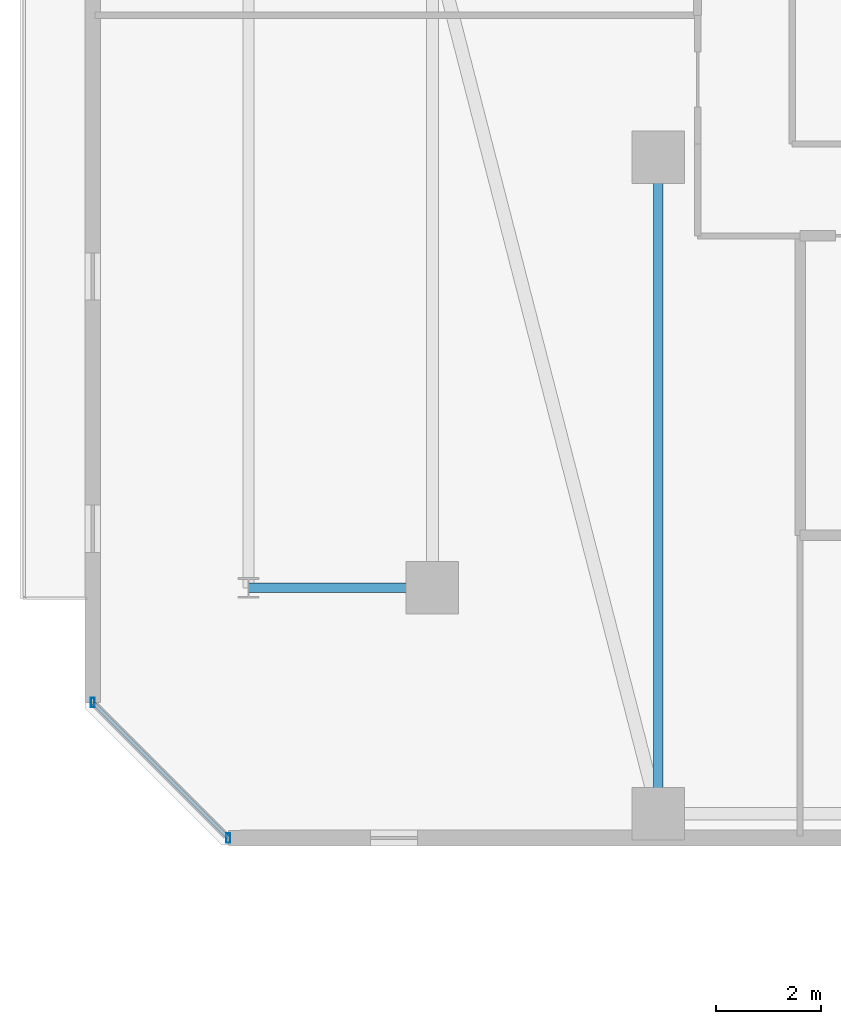
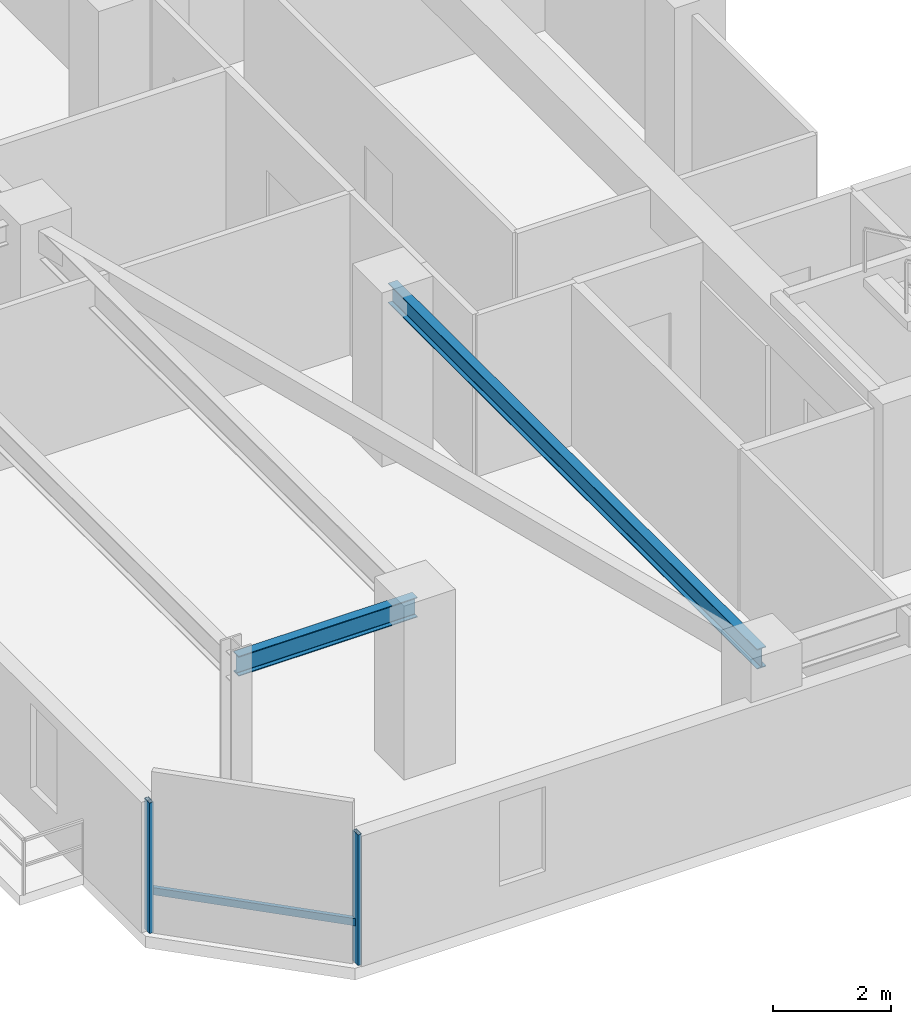
# One storey, part 3 of 33: 3 members, 2 beams, 1 element without a shape of its own.
"""IFC4 building model written with IfcOpenShell, lengths in metres."""

from ifc_helpers import new_model, si_unit, direction, frame, origin, origin_2d, place, context, subcontext, project, spatial, hollow_rectangle, i_section, extrude, material, material_profile, profile_set, type_object, element, aggregate, save


model = new_model("IFC4")

# Units and contexts
model_context = context("Model", 3, precision=1e-05, world=origin(), true_north=direction((0.0, 1.0)))
body_context = subcontext(model_context, "Body", "Model", "MODEL_VIEW")
ifc_project = project(units=[si_unit("LENGTHUNIT", "METRE"), si_unit("AREAUNIT", "SQUARE_METRE"), si_unit("VOLUMEUNIT", "CUBIC_METRE"), si_unit("PLANEANGLEUNIT", "RADIAN"), si_unit("MASSUNIT", "GRAM", prefix="KILO")], contexts=[model_context])

# Site, building, storey
site_placement = place(None, origin())
site = spatial("IfcSite", under=ifc_project, at=site_placement, CompositionType="ELEMENT")
building_placement = place(site_placement, origin())
building = spatial("IfcBuilding", under=site, at=building_placement, Name="Thornwick Lancets Civic Towers", CompositionType="ELEMENT")
storey_placement = place(building_placement, frame((0.0, 0.0, 207.300048828125)))
storey = spatial("IfcBuildingStorey", under=building, at=storey_placement, Name="L55", CompositionType="ELEMENT", Elevation=207.300048828125)

# Beams
ifc_material_1 = material(Name="Steel S355JR", Category="steel")
ifc_material_profile_1 = material_profile(ifc_material_1, i_section(OverallWidth=0.179443359375, OverallDepth=0.412841796875, WebThickness=0.009521484375, FlangeThickness=0.01611328125, FilletRadius=0.01025390625, at=origin_2d()), Name="UKB 406x178x74")
ifc_profile_set_1 = profile_set([ifc_material_profile_1], Name="Steel S355JR")
beam_type = type_object("IfcBeamType", Name="BM_JOIST_406_74", PredefinedType="JOIST", material=ifc_profile_set_1)
beam_1_placement = place(storey_placement, frame((12.5, 22.199951171875, 3.153564453125), z_axis=(0.0, -1.0, 0.0), x_axis=(1.0, 0.0, 0.0)))
element("IfcBeam", 1, at=beam_1_placement, inside=storey, type_object=beam_type, Name="BM-RADIN-L55-A01", PredefinedType="JOIST", context=body_context, shape_type="SweptSolid", body=[
    extrude(i_section(OverallWidth=0.179443359375, OverallDepth=0.412841796875, WebThickness=0.009521484375, FlangeThickness=0.01611328125, FilletRadius=0.01025390625, at=origin_2d()), origin(), (0.0, 0.0, 1.0), 12.5),
])
beam_2_placement = place(storey_placement, frame((8.199951171875, 14.0, 3.153564453125), z_axis=(-1.0, 0.0, 0.0), x_axis=(0.0, -1.0, 0.0)))
element("IfcBeam", 2, at=beam_2_placement, inside=storey, type_object=beam_type, Name="BM-RAD-L55-A10", PredefinedType="JOIST", context=body_context, shape_type="SweptSolid", body=[
    extrude(i_section(OverallWidth=0.179443359375, OverallDepth=0.412841796875, WebThickness=0.009521484375, FlangeThickness=0.01611328125, FilletRadius=0.01025390625, at=origin_2d()), origin(), (0.0, 0.0, 1.0), 3.5),
])

# Curtain wall, members
ifc_material_2 = material(Name="High-zone chamfered-corner unitised glass curtain wall", Category="glass")
curtain_wall_type = type_object("IfcCurtainWallType", Name="CW_SYS_05", PredefinedType="NOTDEFINED", material=ifc_material_2)
curtain_wall_placement = place(storey_placement, origin())
curtain_wall = element("IfcCurtainWall", 3, at=curtain_wall_placement, inside=storey, type_object=curtain_wall_type, Name="L55 Curtain Wall CW-L55-A-E7", PredefinedType="NOTDEFINED")
ifc_material_3 = material(Name="Thermally broken bronze aluminium S355", Category="steel")
ifc_material_profile_2 = material_profile(ifc_material_3, hollow_rectangle(XDim=0.074951171875, YDim=0.179931640625, WallThickness=0.006103515625, at=origin_2d()), Name="RHS 180x75x6")
ifc_profile_set_2 = profile_set([ifc_material_profile_2], Name="Thermally broken bronze aluminium S355")
member_type_1 = type_object("IfcMemberType", Name="CW_MUL_180", PredefinedType="MULLION", material=ifc_profile_set_2)
member_1_placement = place(storey_placement, frame((1.7353515625, 11.818603515625, 0.0), z_axis=(0.0, 0.0, 1.0), x_axis=(1.0, 0.0, 0.0)))
member_1 = element("IfcMember", 4, at=member_1_placement, type_object=member_type_1, Name="CW-L55-A-E7 Mullion 0", PredefinedType="MULLION", context=body_context, shape_type="SweptSolid", body=[
    extrude(hollow_rectangle(XDim=0.074951171875, YDim=0.179931640625, WallThickness=0.006103515625, at=origin_2d()), origin(), (0.0, 0.0, 1.0), 2.699951171875),
])
member_2_placement = place(storey_placement, frame((4.318603515625, 9.2353515625, 0.0), z_axis=(0.0, 0.0, 1.0), x_axis=(1.0, 0.0, 0.0)))
member_2 = element("IfcMember", 5, at=member_2_placement, type_object=member_type_1, Name="CW-L55-A-E7 Mullion 1", PredefinedType="MULLION", context=body_context, shape_type="SweptSolid", body=[
    extrude(hollow_rectangle(XDim=0.074951171875, YDim=0.179931640625, WallThickness=0.006103515625, at=origin_2d()), origin(), (0.0, 0.0, 1.0), 2.699951171875),
])
ifc_material_profile_3 = material_profile(ifc_material_3, hollow_rectangle(XDim=0.074951171875, YDim=0.14990234375, WallThickness=0.0048828125, at=origin_2d()), Name="RHS 150x75x5")
ifc_profile_set_3 = profile_set([ifc_material_profile_3], Name="Thermally broken bronze aluminium S355")
member_type_2 = type_object("IfcMemberType", Name="CW_TRN_150", PredefinedType="USERDEFINED", material=ifc_profile_set_3)
member_3_placement = place(storey_placement, frame((1.74951171875, 11.804443359375, 0.849853515625), z_axis=(0.707106781187, -0.707106781187, 0.0), x_axis=(0.707106781187, 0.707106781187, 0.0)))
member_3 = element("IfcMember", 6, at=member_3_placement, type_object=member_type_2, Name="CW-L55-A-E7 Transom 0", ObjectType="TRANSOM", PredefinedType="USERDEFINED", context=body_context, shape_type="SweptSolid", body=[
    extrude(hollow_rectangle(XDim=0.074951171875, YDim=0.14990234375, WallThickness=0.0048828125, at=origin_2d()), origin(), (0.0, 0.0, 1.0), 3.61328125),
])
aggregate(curtain_wall, [member_1, member_2, member_3])

save(model, "model.ifc")
